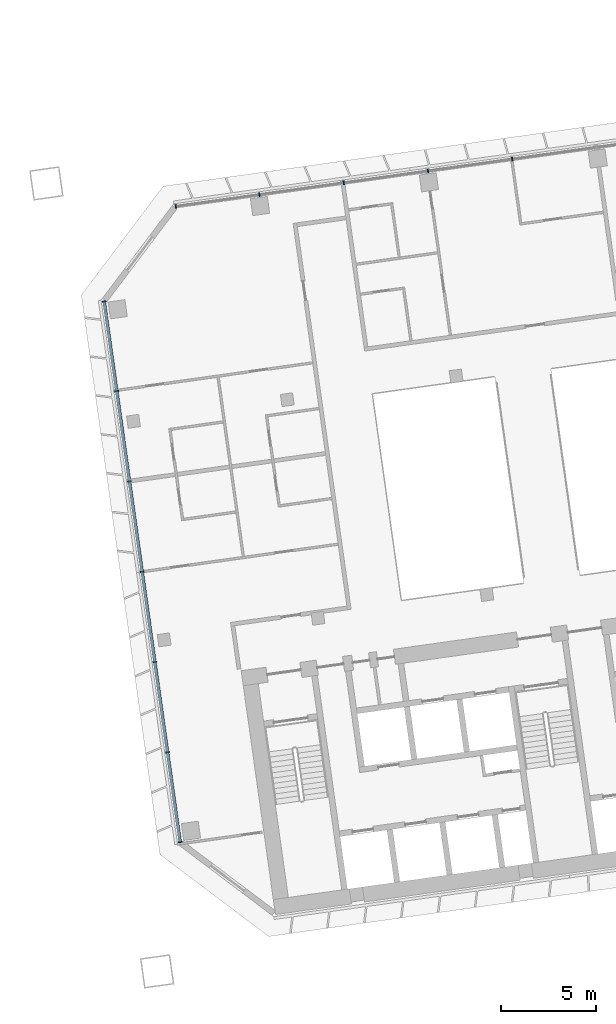
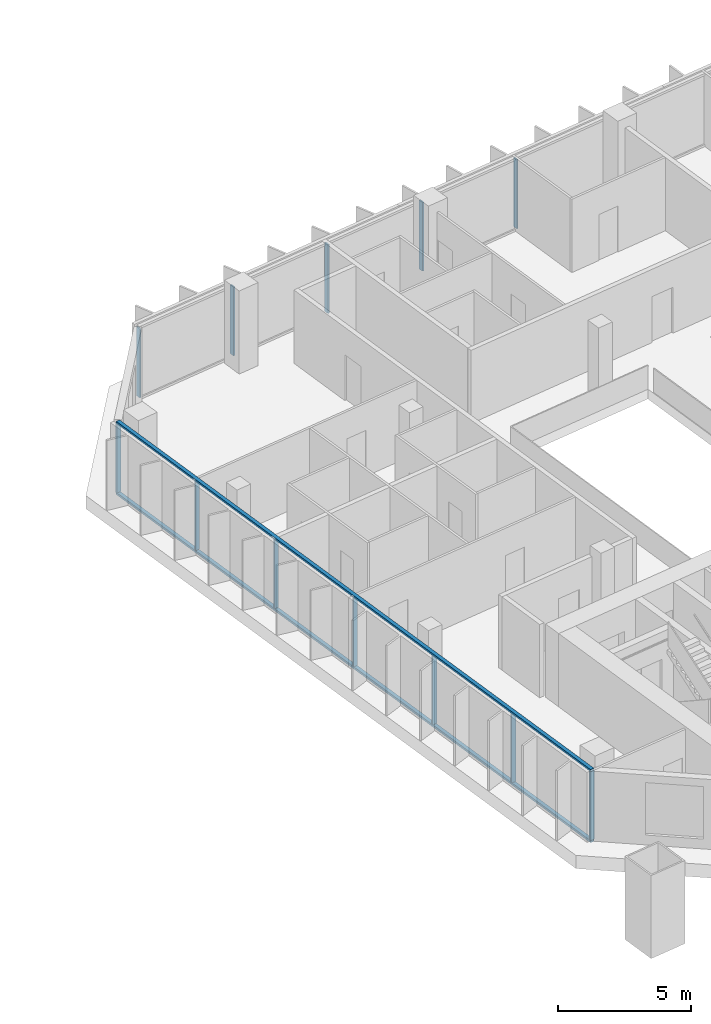
# One storey, part 7 of 27: 14 members, 2 elements without a shape of their own.
"""IFC4 building model written with IfcOpenShell, lengths in metres."""

from ifc_helpers import new_model, si_unit, direction, frame, origin, origin_2d, place, context, subcontext, project, spatial, rectangle, extrude, material, material_profile, profile_set, type_object, element, aggregate, save


model = new_model("IFC4")

# Units and contexts
model_context = context("Model", 3, precision=1e-05, world=origin(), true_north=direction((0.0, 1.0)))
body_context = subcontext(model_context, "Body", "Model", "MODEL_VIEW")
ifc_project = project(units=[si_unit("LENGTHUNIT", "METRE"), si_unit("AREAUNIT", "SQUARE_METRE"), si_unit("VOLUMEUNIT", "CUBIC_METRE"), si_unit("PLANEANGLEUNIT", "RADIAN"), si_unit("MASSUNIT", "GRAM", prefix="KILO")], contexts=[model_context])

# Site, building, storey
site_placement = place(None, origin())
site = spatial("IfcSite", under=ifc_project, at=site_placement, CompositionType="ELEMENT")
building_placement = place(site_placement, origin())
building = spatial("IfcBuilding", under=site, at=building_placement, Name="Mirante Cascada Hotel Towers", CompositionType="ELEMENT")
storey_placement = place(building_placement, frame((0.0, 0.0, 117.7)))
storey = spatial("IfcBuildingStorey", under=building, at=storey_placement, Name="L26", CompositionType="ELEMENT", Elevation=117.7)

# Curtain wall, members
ifc_material_1 = material(Name="Aluminium mullion and transom frame with clear laminated glass", Category="aluminium")
curtain_wall_type_1 = type_object("IfcCurtainWallType", Name="Ribbon curtain wall ECW1", PredefinedType="NOTDEFINED", material=ifc_material_1)
curtain_wall_1_placement = place(storey_placement, origin())
curtain_wall_1 = element("IfcCurtainWall", 1, at=curtain_wall_1_placement, inside=storey, type_object=curtain_wall_type_1, Name="Front ribbon wall T2 L26", PredefinedType="NOTDEFINED")
ifc_material_2 = material(Name="Anodised aluminium extrusion", Category="aluminium")
ifc_material_profile_1 = material_profile(ifc_material_2, rectangle(XDim=0.2, YDim=0.065, at=origin_2d()), Name="ECW1 MULLION 65x200")
ifc_profile_set_1 = profile_set([ifc_material_profile_1], Name="Anodised aluminium extrusion")
member_type_1 = type_object("IfcMemberType", Name="ECW1 mullion 65x200", PredefinedType="MULLION", material=ifc_profile_set_1)
member_1_placement = place(storey_placement, frame((49.684, 19.8017, 0.1), z_axis=(0.0, 0.0, 1.0), x_axis=(0.1391731, -0.9902681, 0.0)))
member_1 = element("IfcMember", 2, at=member_1_placement, type_object=member_type_1, Name="ECW1 mullion 11", PredefinedType="MULLION", context=body_context, shape_type="SweptSolid", body=[
    extrude(rectangle(XDim=0.2, YDim=0.065, at=origin_2d()), origin(), (0.0, 0.0, 1.0), 3.15),
])
member_2_placement = place(storey_placement, frame((45.2366, 19.1766, 0.1), z_axis=(0.0, 0.0, 1.0), x_axis=(0.1391731, -0.9902681, 0.0)))
member_2 = element("IfcMember", 3, at=member_2_placement, type_object=member_type_1, Name="ECW1 mullion 12", PredefinedType="MULLION", context=body_context, shape_type="SweptSolid", body=[
    extrude(rectangle(XDim=0.2, YDim=0.065, at=origin_2d()), origin(), (0.0, 0.0, 1.0), 3.15),
])
member_3_placement = place(storey_placement, frame((40.7892, 18.5516, 0.1), z_axis=(0.0, 0.0, 1.0), x_axis=(0.1391731, -0.9902681, 0.0)))
member_3 = element("IfcMember", 4, at=member_3_placement, type_object=member_type_1, Name="ECW1 mullion 13", PredefinedType="MULLION", context=body_context, shape_type="SweptSolid", body=[
    extrude(rectangle(XDim=0.2, YDim=0.065, at=origin_2d()), origin(), (0.0, 0.0, 1.0), 3.15),
])
member_4_placement = place(storey_placement, frame((36.3417, 17.9265, 0.1), z_axis=(0.0, 0.0, 1.0), x_axis=(0.1391731, -0.9902681, 0.0)))
member_4 = element("IfcMember", 5, at=member_4_placement, type_object=member_type_1, Name="ECW1 mullion 14", PredefinedType="MULLION", context=body_context, shape_type="SweptSolid", body=[
    extrude(rectangle(XDim=0.2, YDim=0.065, at=origin_2d()), origin(), (0.0, 0.0, 1.0), 3.15),
])
member_5_placement = place(storey_placement, frame((31.9265, 17.306, 0.1), z_axis=(0.0, 0.0, 1.0), x_axis=(0.1391731, -0.9902681, 0.0)))
member_5 = element("IfcMember", 6, at=member_5_placement, type_object=member_type_1, Name="ECW1 mullion 15", PredefinedType="MULLION", context=body_context, shape_type="SweptSolid", body=[
    extrude(rectangle(XDim=0.2, YDim=0.065, at=origin_2d()), origin(), (0.0, 0.0, 1.0), 3.15),
])
aggregate(curtain_wall_1, [member_1, member_2, member_3, member_4, member_5])

ifc_material_3 = material(Name="Aluminium mullion and transom frame with clear laminated glass", Category="aluminium")
curtain_wall_type_2 = type_object("IfcCurtainWallType", Name="End ribbon curtain wall ECW2", PredefinedType="NOTDEFINED", material=ifc_material_3)
curtain_wall_2_placement = place(storey_placement, origin())
curtain_wall_2 = element("IfcCurtainWall", 7, at=curtain_wall_2_placement, inside=storey, type_object=curtain_wall_type_2, Name="Inner end wall T2 L26", PredefinedType="NOTDEFINED")
ifc_material_4 = material(Name="Anodised aluminium extrusion", Category="aluminium")
ifc_material_profile_2 = material_profile(ifc_material_4, rectangle(XDim=0.2, YDim=0.065, at=origin_2d()), Name="ECW2 MULLION 65x200")
ifc_profile_set_2 = profile_set([ifc_material_profile_2], Name="Anodised aluminium extrusion")
member_type_2 = type_object("IfcMemberType", Name="ECW2 mullion 65x200", PredefinedType="MULLION", material=ifc_profile_set_2)
member_6_placement = place(storey_placement, frame((28.1437, 12.2861, 0.1), z_axis=(0.0, 0.0, 1.0), x_axis=(0.9902681, 0.1391731, 0.0)))
member_6 = element("IfcMember", 8, at=member_6_placement, type_object=member_type_2, Name="ECW2 mullion 1", PredefinedType="MULLION", context=body_context, shape_type="SweptSolid", body=[
    extrude(rectangle(XDim=0.2, YDim=0.065, at=origin_2d()), origin(), (0.0, 0.0, 1.0), 3.15),
])
member_7_placement = place(storey_placement, frame((28.809, 7.5524, 0.1), z_axis=(0.0, 0.0, 1.0), x_axis=(0.9902681, 0.1391731, 0.0)))
member_7 = element("IfcMember", 9, at=member_7_placement, type_object=member_type_2, Name="ECW2 mullion 2", PredefinedType="MULLION", context=body_context, shape_type="SweptSolid", body=[
    extrude(rectangle(XDim=0.2, YDim=0.065, at=origin_2d()), origin(), (0.0, 0.0, 1.0), 3.15),
])
member_8_placement = place(storey_placement, frame((29.4788, 2.7867, 0.1), z_axis=(0.0, 0.0, 1.0), x_axis=(0.9902681, 0.1391731, 0.0)))
member_8 = element("IfcMember", 10, at=member_8_placement, type_object=member_type_2, Name="ECW2 mullion 3", PredefinedType="MULLION", context=body_context, shape_type="SweptSolid", body=[
    extrude(rectangle(XDim=0.2, YDim=0.065, at=origin_2d()), origin(), (0.0, 0.0, 1.0), 3.15),
])
member_9_placement = place(storey_placement, frame((30.1485, -1.9791, 0.1), z_axis=(0.0, 0.0, 1.0), x_axis=(0.9902681, 0.1391731, 0.0)))
member_9 = element("IfcMember", 11, at=member_9_placement, type_object=member_type_2, Name="ECW2 mullion 4", PredefinedType="MULLION", context=body_context, shape_type="SweptSolid", body=[
    extrude(rectangle(XDim=0.2, YDim=0.065, at=origin_2d()), origin(), (0.0, 0.0, 1.0), 3.15),
])
member_10_placement = place(storey_placement, frame((30.8183, -6.7449, 0.1), z_axis=(0.0, 0.0, 1.0), x_axis=(0.9902681, 0.1391731, 0.0)))
member_10 = element("IfcMember", 12, at=member_10_placement, type_object=member_type_2, Name="ECW2 mullion 5", PredefinedType="MULLION", context=body_context, shape_type="SweptSolid", body=[
    extrude(rectangle(XDim=0.2, YDim=0.065, at=origin_2d()), origin(), (0.0, 0.0, 1.0), 3.15),
])
member_11_placement = place(storey_placement, frame((31.4881, -11.5107, 0.1), z_axis=(0.0, 0.0, 1.0), x_axis=(0.9902681, 0.1391731, 0.0)))
member_11 = element("IfcMember", 13, at=member_11_placement, type_object=member_type_2, Name="ECW2 mullion 6", PredefinedType="MULLION", context=body_context, shape_type="SweptSolid", body=[
    extrude(rectangle(XDim=0.2, YDim=0.065, at=origin_2d()), origin(), (0.0, 0.0, 1.0), 3.15),
])
member_12_placement = place(storey_placement, frame((32.1534, -16.2443, 0.1), z_axis=(0.0, 0.0, 1.0), x_axis=(0.9902681, 0.1391731, 0.0)))
member_12 = element("IfcMember", 14, at=member_12_placement, type_object=member_type_2, Name="ECW2 mullion 7", PredefinedType="MULLION", context=body_context, shape_type="SweptSolid", body=[
    extrude(rectangle(XDim=0.2, YDim=0.065, at=origin_2d()), origin(), (0.0, 0.0, 1.0), 3.15),
])
ifc_material_5 = material(Name="Anodised aluminium extrusion", Category="aluminium")
ifc_material_profile_3 = material_profile(ifc_material_5, rectangle(XDim=0.16, YDim=0.1, at=origin_2d()), Name="ECW2 TRANSOM 100x160")
ifc_profile_set_3 = profile_set([ifc_material_profile_3], Name="Anodised aluminium extrusion")
member_type_3 = type_object("IfcMemberType", Name="ECW2 transom 100x160", PredefinedType="USERDEFINED", material=ifc_profile_set_3)
member_13_placement = place(storey_placement, frame((28.1392, 12.3182, 0.05), z_axis=(0.1391723, -0.9902682, 0.0), x_axis=(0.9902682, 0.1391723, 0.0)))
member_13 = element("IfcMember", 15, at=member_13_placement, type_object=member_type_3, Name="ECW2 sill transom", ObjectType="TRANSOM", PredefinedType="USERDEFINED", context=body_context, shape_type="SweptSolid", body=[
    extrude(rectangle(XDim=0.16, YDim=0.1, at=origin_2d()), origin(), (0.0, 0.0, 1.0), 28.8757),
])
member_14_placement = place(storey_placement, frame((28.1392, 12.3182, 3.3), z_axis=(0.1391723, -0.9902682, 0.0), x_axis=(0.9902682, 0.1391723, 0.0)))
member_14 = element("IfcMember", 16, at=member_14_placement, type_object=member_type_3, Name="ECW2 head transom", ObjectType="TRANSOM", PredefinedType="USERDEFINED", context=body_context, shape_type="SweptSolid", body=[
    extrude(rectangle(XDim=0.16, YDim=0.1, at=origin_2d()), origin(), (0.0, 0.0, 1.0), 28.8757),
])
aggregate(curtain_wall_2, [member_13, member_14, member_6, member_7, member_8, member_9, member_10, member_11, member_12])

save(model, "model.ifc")
